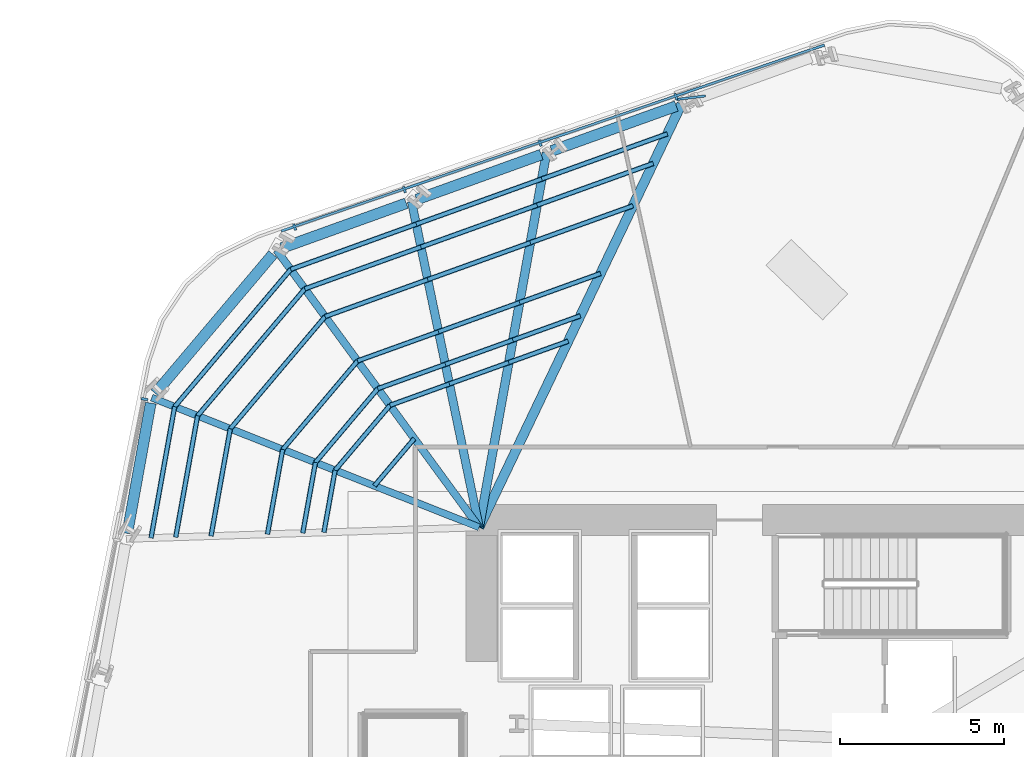
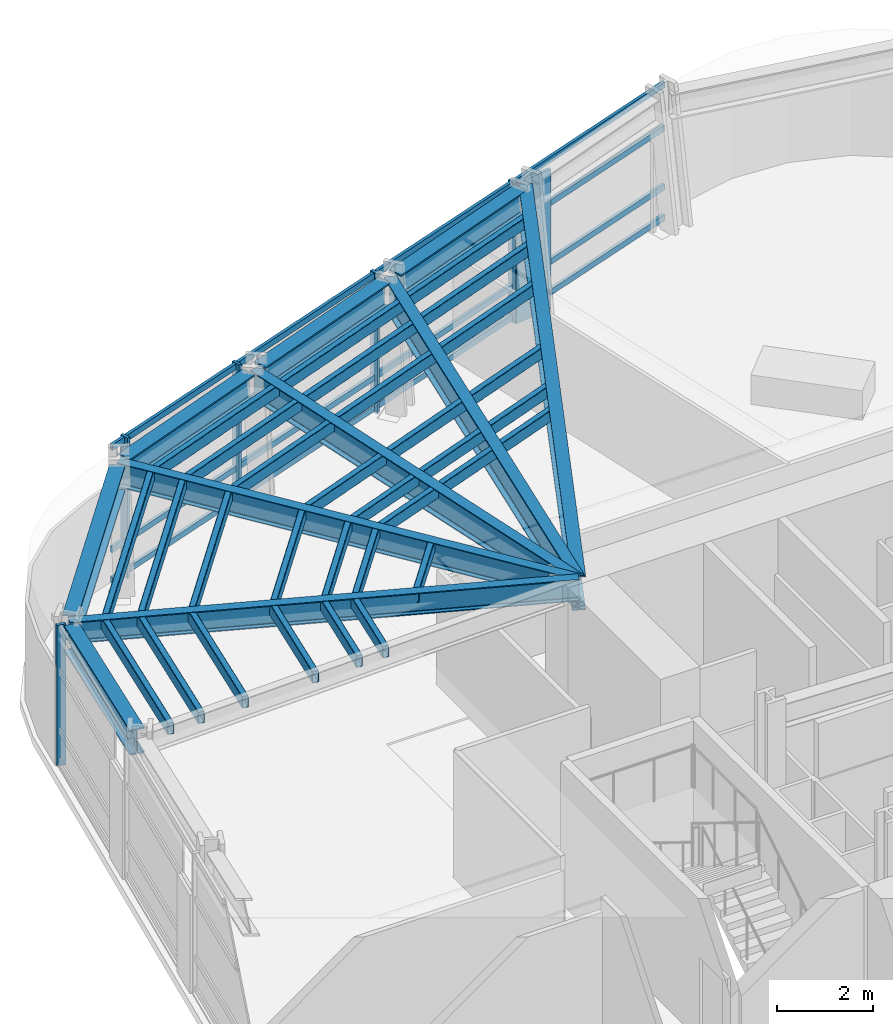
# One storey, part 6 of 16: 41 members, 10 beams, 2 elements without a shape of their own.
"""IFC4 building model written with IfcOpenShell, lengths in metres."""

from ifc_helpers import new_model, si_unit, direction, frame, origin, origin_2d, place, context, subcontext, project, spatial, rectangle, hollow_rectangle, i_section, extrude, material, layer, layer_set, material_profile, profile_set, type_object, element, aggregate, save


model = new_model("IFC4")

# Units and contexts
model_context = context("Model", 3, precision=1e-05, world=origin(), true_north=direction((0.0, 1.0)))
body_context = subcontext(model_context, "Body", "Model", "MODEL_VIEW")
ifc_project = project(units=[si_unit("LENGTHUNIT", "METRE"), si_unit("AREAUNIT", "SQUARE_METRE"), si_unit("VOLUMEUNIT", "CUBIC_METRE"), si_unit("PLANEANGLEUNIT", "RADIAN"), si_unit("MASSUNIT", "GRAM", prefix="KILO")], contexts=[model_context])

# Site, building, storey
site_placement = place(None, origin())
site = spatial("IfcSite", under=ifc_project, at=site_placement, CompositionType="ELEMENT")
building_placement = place(site_placement, origin())
building = spatial("IfcBuilding", under=site, at=building_placement, Name="Valkerne Bourse Tower", CompositionType="ELEMENT")
storey_placement = place(building_placement, frame((0.0, 0.0, 104.800048828125)))
storey = spatial("IfcBuildingStorey", under=building, at=storey_placement, Name="L26", CompositionType="ELEMENT", Elevation=104.800048828125)

# Beams
ifc_material_1 = material(Name="Steel ASTM A992", Category="steel")
ifc_material_profile_1 = material_profile(ifc_material_1, i_section(OverallWidth=0.2138671875, OverallDepth=0.548583984375, WebThickness=0.0146484375, FlangeThickness=0.023681640625, FilletRadius=0.017822265625, at=origin_2d()), Name="W21X93")
ifc_profile_set_1 = profile_set([ifc_material_profile_1], Name="Steel ASTM A992")
beam_type_1 = type_object("IfcBeamType", Name="BM-W21X93", PredefinedType="BEAM", material=ifc_profile_set_1)
beam_1_placement = place(storey_placement, frame((27.597900390625, 39.36181640625, 3.3056640625), z_axis=(0.929720353144, -0.368266296244, 0.0), x_axis=(0.368266296244, 0.929720353144, 0.0)))
element("IfcBeam", 1, at=beam_1_placement, inside=storey, type_object=beam_type_1, Name="L26 Radial Composite Floor Beam 10", PredefinedType="BEAM", context=body_context, shape_type="SweptSolid", body=[
    extrude(i_section(OverallWidth=0.2138671875, OverallDepth=0.548583984375, WebThickness=0.0146484375, FlangeThickness=0.023681640625, FilletRadius=0.017822265625, at=origin_2d()), origin(), (0.0, 0.0, 1.0), 10.75830078125),
])
ifc_material_profile_2 = material_profile(ifc_material_1, i_section(OverallWidth=0.330078125, OverallDepth=0.647705078125, WebThickness=0.0205078125, FlangeThickness=0.037109375, FilletRadius=0.020263671875, at=origin_2d()), Name="W24X192")
ifc_profile_set_2 = profile_set([ifc_material_profile_2], Name="Steel ASTM A992")
beam_type_2 = type_object("IfcBeamType", Name="BM-W24X192", PredefinedType="SPANDREL", material=ifc_profile_set_2)
beam_2_placement = place(storey_placement, frame((43.620849609375, 48.26806640625, 3.256103515625), z_axis=(-0.940897418374, -0.338691671137, 0.0), x_axis=(0.338691671137, -0.940897418374, 0.0)))
element("IfcBeam", 2, at=beam_2_placement, inside=storey, type_object=beam_type_2, Name="L26 Hexagonal Spandrel Ring Beam 06", PredefinedType="SPANDREL", context=body_context, shape_type="SweptSolid", body=[
    extrude(i_section(OverallWidth=0.330078125, OverallDepth=0.647705078125, WebThickness=0.0205078125, FlangeThickness=0.037109375, FilletRadius=0.020263671875, at=origin_2d()), origin(), (0.0, 0.0, 1.0), 4.043212890625),
])
beam_3_placement = place(storey_placement, frame((39.496826171875, 46.783447265625, 3.256103515625), z_axis=(-0.940871245192, -0.338764372346, 0.0), x_axis=(0.338764372346, -0.940871245192, 0.0)))
element("IfcBeam", 3, at=beam_3_placement, inside=storey, type_object=beam_type_2, Name="L26 Hexagonal Spandrel Ring Beam 07", PredefinedType="SPANDREL", context=body_context, shape_type="SweptSolid", body=[
    extrude(i_section(OverallWidth=0.330078125, OverallDepth=0.647705078125, WebThickness=0.0205078125, FlangeThickness=0.037109375, FilletRadius=0.020263671875, at=origin_2d()), origin(), (0.0, 0.0, 1.0), 4.04296875),
])
beam_4_placement = place(storey_placement, frame((35.372802734375, 45.298583984375, 3.256103515625), z_axis=(-0.940883562557, -0.338730160615, 0.0), x_axis=(0.338730160615, -0.940883562557, 0.0)))
element("IfcBeam", 4, at=beam_4_placement, inside=storey, type_object=beam_type_2, Name="L26 Hexagonal Spandrel Ring Beam 08", PredefinedType="SPANDREL", context=body_context, shape_type="SweptSolid", body=[
    extrude(i_section(OverallWidth=0.330078125, OverallDepth=0.647705078125, WebThickness=0.0205078125, FlangeThickness=0.037109375, FilletRadius=0.020263671875, at=origin_2d()), origin(), (0.0, 0.0, 1.0), 4.042724609375),
])
beam_5_placement = place(storey_placement, frame((31.29931640625, 43.741943359375, 3.256103515625), z_axis=(-0.645464198332, -0.763790526697, 0.0), x_axis=(0.763790526697, -0.645464198332, 0.0)))
element("IfcBeam", 5, at=beam_5_placement, inside=storey, type_object=beam_type_2, Name="L26 Hexagonal Spandrel Ring Beam 09", PredefinedType="SPANDREL", context=body_context, shape_type="SweptSolid", body=[
    extrude(i_section(OverallWidth=0.330078125, OverallDepth=0.647705078125, WebThickness=0.0205078125, FlangeThickness=0.037109375, FilletRadius=0.020263671875, at=origin_2d()), origin(), (0.0, 0.0, 1.0), 5.564697265625),
])
beam_6_placement = place(storey_placement, frame((27.56787109375, 39.194580078125, 3.256103515625), z_axis=(-0.177105037494, -0.984191955715, 0.0), x_axis=(0.984191955715, -0.177105037494, 0.0)))
element("IfcBeam", 6, at=beam_6_placement, inside=storey, type_object=beam_type_2, Name="L26 Hexagonal Spandrel Ring Beam 10", PredefinedType="SPANDREL", context=body_context, shape_type="SweptSolid", body=[
    extrude(i_section(OverallWidth=0.330078125, OverallDepth=0.647705078125, WebThickness=0.0205078125, FlangeThickness=0.037109375, FilletRadius=0.020263671875, at=origin_2d()), origin(), (0.0, 0.0, 1.0), 4.043212890625),
])
ifc_material_profile_3 = material_profile(ifc_material_1, i_section(OverallWidth=0.228271484375, OverallDepth=0.607177734375, WebThickness=0.01123046875, FlangeThickness=0.017333984375, FilletRadius=0.017822265625, at=origin_2d()), Name="W24X76")
ifc_profile_set_3 = profile_set([ifc_material_profile_3], Name="Steel ASTM A992")
beam_type_3 = type_object("IfcBeamType", Name="BM-W24X76", PredefinedType="JOIST", material=ifc_profile_set_3)
beam_7_placement = place(storey_placement, frame((31.408935546875, 43.87158203125, 3.2763671875), z_axis=(0.590036423616, -0.807376627607, 0.0), x_axis=(0.807376627607, 0.590036423616, 0.0)))
element("IfcBeam", 7, at=beam_7_placement, inside=storey, type_object=beam_type_3, Name="L26 Radial Composite Floor Beam 09", PredefinedType="JOIST", context=body_context, shape_type="SweptSolid", body=[
    extrude(i_section(OverallWidth=0.228271484375, OverallDepth=0.607177734375, WebThickness=0.01123046875, FlangeThickness=0.017333984375, FilletRadius=0.017822265625, at=origin_2d()), origin(), (0.0, 0.0, 1.0), 10.492919921875),
])
ifc_material_profile_4 = material_profile(ifc_material_1, i_section(OverallWidth=0.255859375, OverallDepth=0.693359375, WebThickness=0.014404296875, FlangeThickness=0.023681640625, FilletRadius=0.02294921875, at=origin_2d()), Name="W27X114")
ifc_profile_set_4 = profile_set([ifc_material_profile_4], Name="Steel ASTM A992")
beam_type_4 = type_object("IfcBeamType", Name="BM-W27X114", PredefinedType="BEAM", material=ifc_profile_set_4)
beam_8_placement = place(storey_placement, frame((35.532958984375, 45.356201171875, 3.233154296875), z_axis=(0.203285943715, -0.979119413089, 0.0), x_axis=(0.979119413089, 0.203285943715, 0.0)))
element("IfcBeam", 8, at=beam_8_placement, inside=storey, type_object=beam_type_4, Name="L26 Radial Composite Floor Beam 08", PredefinedType="BEAM", context=body_context, shape_type="SweptSolid", body=[
    extrude(i_section(OverallWidth=0.255859375, OverallDepth=0.693359375, WebThickness=0.014404296875, FlangeThickness=0.023681640625, FilletRadius=0.02294921875, at=origin_2d()), origin(), (0.0, 0.0, 1.0), 10.168701171875),
])
ifc_material_profile_5 = material_profile(ifc_material_1, i_section(OverallWidth=0.26806640625, OverallDepth=0.76953125, WebThickness=0.015625, FlangeThickness=0.025390625, FilletRadius=0.025390625, at=origin_2d()), Name="W30X132")
ifc_profile_set_5 = profile_set([ifc_material_profile_5], Name="Steel ASTM A992")
beam_type_5 = type_object("IfcBeamType", Name="BM-W30X132", PredefinedType="BEAM", material=ifc_profile_set_5)
beam_9_placement = place(storey_placement, frame((39.65673828125, 46.841064453125, 3.195068359375), z_axis=(-0.176922303175, -0.984224821186, 0.0), x_axis=(0.984224821186, -0.176922303175, 0.0)))
element("IfcBeam", 9, at=beam_9_placement, inside=storey, type_object=beam_type_5, Name="L26 Radial Composite Floor Beam 07", PredefinedType="BEAM", context=body_context, shape_type="SweptSolid", body=[
    extrude(i_section(OverallWidth=0.26806640625, OverallDepth=0.76953125, WebThickness=0.015625, FlangeThickness=0.025390625, FilletRadius=0.025390625, at=origin_2d()), origin(), (0.0, 0.0, 1.0), 11.62451171875),
])
ifc_material_profile_6 = material_profile(ifc_material_1, i_section(OverallWidth=0.2919921875, OverallDepth=0.8583984375, WebThickness=0.01708984375, FlangeThickness=0.031005859375, FilletRadius=0.025390625, at=origin_2d()), Name="W33X169")
ifc_profile_set_6 = profile_set([ifc_material_profile_6], Name="Steel ASTM A992")
beam_type_6 = type_object("IfcBeamType", Name="BM-W33X169", PredefinedType="BEAM", material=ifc_profile_set_6)
beam_10_placement = place(storey_placement, frame((43.78076171875, 48.32568359375, 3.150634765625), z_axis=(-0.431385553213, -0.902167669826, 0.0), x_axis=(0.902167669826, -0.431385553213, 0.0)))
element("IfcBeam", 10, at=beam_10_placement, inside=storey, type_object=beam_type_6, Name="L26 Radial Composite Floor Beam 06", PredefinedType="BEAM", context=body_context, shape_type="SweptSolid", body=[
    extrude(i_section(OverallWidth=0.2919921875, OverallDepth=0.8583984375, WebThickness=0.01708984375, FlangeThickness=0.031005859375, FilletRadius=0.025390625, at=origin_2d()), origin(), (0.0, 0.0, 1.0), 14.327392578125),
])

# Curtain wall, members
ifc_material_2 = material(Name="Aluminium AA 6063-T6", Category="aluminium")
ifc_layer = layer(ifc_material_2, 0.22998046875)
ifc_layer_set = layer_set([ifc_layer], Name="Aluminium AA 6063-T6")
curtain_wall_type = type_object("IfcCurtainWallType", Name="CW-02", PredefinedType="NOTDEFINED", material=ifc_layer_set)
curtain_wall_1_placement = place(storey_placement, origin())
curtain_wall_1 = element("IfcCurtainWall", 11, at=curtain_wall_1_placement, inside=storey, type_object=curtain_wall_type, Name="L26 Hexagonal Stick Curtain Wall Face 2", PredefinedType="NOTDEFINED")
ifc_material_profile_7 = material_profile(ifc_material_2, rectangle(XDim=0.074951171875, YDim=0.199951171875, at=origin_2d()), Name="CWM-75X200")
ifc_profile_set_7 = profile_set([ifc_material_profile_7], Name="Aluminium AA 6063-T6")
member_type_1 = type_object("IfcMemberType", Name="CW-MUL-220X75", PredefinedType="MULLION", material=ifc_profile_set_7)
member_1_placement = place(storey_placement, frame((43.6083984375, 48.55615234375, 0.0), z_axis=(0.0, 0.0, 1.0), x_axis=(-0.946087647887, -0.323910732325, 0.0)))
member_1 = element("IfcMember", 12, at=member_1_placement, type_object=member_type_1, Name="CW-L26-F2 Jamb Mullion 01A", PredefinedType="MULLION", context=body_context, shape_type="SweptSolid", body=[
    extrude(rectangle(XDim=0.074951171875, YDim=0.199951171875, at=origin_2d()), origin(), (0.0, 0.0, 1.0), 3.579833984375),
])
member_2_placement = place(storey_placement, frame((39.4619140625, 47.136474609375, 0.0), z_axis=(0.0, 0.0, 1.0), x_axis=(-0.946087647887, -0.323910732325, 0.0)))
member_2 = element("IfcMember", 13, at=member_2_placement, type_object=member_type_1, Name="CW-L26-F2 Jamb Mullion 02A", PredefinedType="MULLION", context=body_context, shape_type="SweptSolid", body=[
    extrude(rectangle(XDim=0.074951171875, YDim=0.199951171875, at=origin_2d()), origin(), (0.0, 0.0, 1.0), 3.579833984375),
])
member_3_placement = place(storey_placement, frame((35.315185546875, 45.716796875, 0.0), z_axis=(0.0, 0.0, 1.0), x_axis=(-0.946080655977, -0.323931153776, 0.0)))
member_3 = element("IfcMember", 14, at=member_3_placement, type_object=member_type_1, Name="CW-L26-F2 Jamb Mullion 03A", PredefinedType="MULLION", context=body_context, shape_type="SweptSolid", body=[
    extrude(rectangle(XDim=0.074951171875, YDim=0.199951171875, at=origin_2d()), origin(), (0.0, 0.0, 1.0), 3.579833984375),
])
member_4_placement = place(storey_placement, frame((31.963134765625, 44.569091796875, 0.0), z_axis=(0.0, 0.0, 1.0), x_axis=(-0.946080655977, -0.323931153776, 0.0)))
member_4 = element("IfcMember", 15, at=member_4_placement, type_object=member_type_1, Name="CW-L26-F2 Jamb Mullion 03B", PredefinedType="MULLION", context=body_context, shape_type="SweptSolid", body=[
    extrude(rectangle(XDim=0.074951171875, YDim=0.199951171875, at=origin_2d()), origin(), (0.0, 0.0, 1.0), 3.579833984375),
])

# Curtain wall, member
curtain_wall_2_placement = place(storey_placement, origin())
curtain_wall_2 = element("IfcCurtainWall", 16, at=curtain_wall_2_placement, inside=storey, type_object=curtain_wall_type, Name="L26 Hexagonal Stick Curtain Wall Face 3", PredefinedType="NOTDEFINED")
member_5_placement = place(storey_placement, frame((27.3798828125, 39.315185546875, 0.0), z_axis=(0.0, 0.0, 1.0), x_axis=(-0.192516989941, -0.981293640346, 0.0)))
member_5 = element("IfcMember", 17, at=member_5_placement, type_object=member_type_1, Name="CW-L26-F3 Jamb Mullion 00A", PredefinedType="MULLION", context=body_context, shape_type="SweptSolid", body=[
    extrude(rectangle(XDim=0.074951171875, YDim=0.199951171875, at=origin_2d()), origin(), (0.0, 0.0, 1.0), 3.579833984375),
])
aggregate(curtain_wall_2, [member_5])

# Member
ifc_material_profile_8 = material_profile(ifc_material_2, rectangle(XDim=0.074951171875, YDim=0.14990234375, at=origin_2d()), Name="CWT-75X150")
ifc_profile_set_8 = profile_set([ifc_material_profile_8], Name="Aluminium AA 6063-T6")
member_type_2 = type_object("IfcMemberType", Name="CW-TRN-180X65", PredefinedType="USERDEFINED", material=ifc_profile_set_8)
member_6_placement = place(storey_placement, frame((48.14599609375, 50.130859375, 0.119873046875), z_axis=(-0.946084158716, -0.323920923415, 0.0), x_axis=(0.323920923415, -0.946084158716, 0.0)))
member_6 = element("IfcMember", 18, at=member_6_placement, type_object=member_type_2, Name="CW-L26-F2 Continuous Face Transom 1", ObjectType="TRANSOM", PredefinedType="USERDEFINED", context=body_context, shape_type="SweptSolid", body=[
    extrude(rectangle(XDim=0.074951171875, YDim=0.14990234375, at=origin_2d()), origin(), (0.0, 0.0, 1.0), 17.531982421875),
])

member_7_placement = place(storey_placement, frame((48.14599609375, 50.130859375, 0.89990234375), z_axis=(-0.946084158716, -0.323920923415, 0.0), x_axis=(0.323920923415, -0.946084158716, 0.0)))
member_7 = element("IfcMember", 19, at=member_7_placement, type_object=member_type_2, Name="CW-L26-F2 Continuous Face Transom 2", ObjectType="TRANSOM", PredefinedType="USERDEFINED", context=body_context, shape_type="SweptSolid", body=[
    extrude(rectangle(XDim=0.074951171875, YDim=0.14990234375, at=origin_2d()), origin(), (0.0, 0.0, 1.0), 17.531982421875),
])

member_8_placement = place(storey_placement, frame((48.14599609375, 50.130859375, 2.39990234375), z_axis=(-0.946084158716, -0.323920923415, 0.0), x_axis=(0.323920923415, -0.946084158716, 0.0)))
member_8 = element("IfcMember", 20, at=member_8_placement, type_object=member_type_2, Name="CW-L26-F2 Continuous Face Transom 3", ObjectType="TRANSOM", PredefinedType="USERDEFINED", context=body_context, shape_type="SweptSolid", body=[
    extrude(rectangle(XDim=0.074951171875, YDim=0.14990234375, at=origin_2d()), origin(), (0.0, 0.0, 1.0), 17.531982421875),
])

member_9_placement = place(storey_placement, frame((48.14599609375, 50.130859375, 3.5), z_axis=(-0.946084158716, -0.323920923415, 0.0), x_axis=(0.323920923415, -0.946084158716, 0.0)))
member_9 = element("IfcMember", 21, at=member_9_placement, type_object=member_type_2, Name="CW-L26-F2 Continuous Face Transom 4", ObjectType="TRANSOM", PredefinedType="USERDEFINED", context=body_context, shape_type="SweptSolid", body=[
    extrude(rectangle(XDim=0.074951171875, YDim=0.14990234375, at=origin_2d()), origin(), (0.0, 0.0, 1.0), 17.531982421875),
])

aggregate(curtain_wall_1, [member_6, member_7, member_8, member_9, member_1, member_2, member_3, member_4])

# Members
ifc_material_3 = material(Name="Bronze Anodised Aluminium AA 6063-T6", Category="aluminium")
ifc_material_profile_9 = material_profile(ifc_material_3, rectangle(XDim=0.070068359375, YDim=0.89990234375, at=origin_2d()), Name="FIN-70X900")
ifc_profile_set_9 = profile_set([ifc_material_profile_9], Name="Bronze Anodised Aluminium AA 6063-T6")
member_type_3 = type_object("IfcMemberType", Name="FIN-SOLAR-900", PredefinedType="USERDEFINED", material=ifc_profile_set_9)
member_10_placement = place(storey_placement, frame((44.064208984375, 48.52197265625, 0.00390625), z_axis=(0.0, 0.0, 1.0), x_axis=(-0.12256121567, 0.992460955612, 0.0)))
element("IfcMember", 22, at=member_10_placement, inside=storey, type_object=member_type_3, Name="L26 Bronze Anodised Solar Fin F2-01", ObjectType="SOLAR_FIN", PredefinedType="USERDEFINED", context=body_context, shape_type="SweptSolid", body=[
    extrude(rectangle(XDim=0.070068359375, YDim=0.89990234375, at=origin_2d()), origin(), (0.0, 0.0, 1.0), 3.572021484375),
])
ifc_material_4 = material(Name="Steel ASTM A500 Grade C", Category="steel")
ifc_material_profile_10 = material_profile(ifc_material_4, hollow_rectangle(XDim=0.14990234375, YDim=0.300048828125, WallThickness=0.012451171875, OuterFilletRadius=0.02490234375, at=origin_2d()), Name="HSS300X150X12.5")
ifc_profile_set_10 = profile_set([ifc_material_profile_10], Name="Steel ASTM A500 Grade C")
member_type_4 = type_object("IfcMemberType", Name="MBR-HSS300X150X12.5", PredefinedType="PURLIN", material=ifc_profile_set_10)
member_11_placement = place(storey_placement, frame((35.618896484375, 38.11083984375, 3.419921875), z_axis=(-0.645443946236, -0.763807640881, 0.0), x_axis=(0.763807640881, -0.645443946236, 0.0)))
element("IfcMember", 23, at=member_11_placement, inside=storey, type_object=member_type_4, Name="L26 Secondary Composite Floor Purlin I-09", PredefinedType="PURLIN", context=body_context, shape_type="SweptSolid", body=[
    extrude(hollow_rectangle(XDim=0.14990234375, YDim=0.300048828125, WallThickness=0.012451171875, OuterFilletRadius=0.02490234375, at=origin_2d()), origin(), (0.0, 0.0, 1.0), 1.889404296875),
])
member_12_placement = place(storey_placement, frame((40.319580078125, 41.08740234375, 3.419921875), z_axis=(-0.940882570825, -0.338732915314, 0.0), x_axis=(0.338732915314, -0.940882570825, 0.0)))
element("IfcMember", 24, at=member_12_placement, inside=storey, type_object=member_type_4, Name="L26 Secondary Composite Floor Purlin K-06", PredefinedType="PURLIN", context=body_context, shape_type="SweptSolid", body=[
    extrude(hollow_rectangle(XDim=0.14990234375, YDim=0.300048828125, WallThickness=0.012451171875, OuterFilletRadius=0.02490234375, at=origin_2d()), origin(), (0.0, 0.0, 1.0), 1.9287109375),
])
for number, where, z_axis, x_axis, name in (
    (25, (38.5048828125, 40.43408203125, 3.419921875), (-0.940868044235, -0.338773262429, 0.0), (0.338773262429, -0.940868044235, 0.0), "L26 Secondary Composite Floor Purlin K-07"),
    (26, (36.6904296875, 39.78076171875, 3.419921875), (-0.940868044235, -0.338773262429, 0.0), (0.338773262429, -0.940868044235, 0.0), "L26 Secondary Composite Floor Purlin K-08"),
):
    element("IfcMember", number, at=place(storey_placement, frame(where, z_axis=z_axis, x_axis=x_axis)), inside=storey, type_object=member_type_4, Name=name, PredefinedType="PURLIN", context=body_context, shape_type="SweptSolid", body=[
        extrude(hollow_rectangle(XDim=0.14990234375, YDim=0.300048828125, WallThickness=0.012451171875, OuterFilletRadius=0.02490234375, at=origin_2d()), origin(), (0.0, 0.0, 1.0), 1.928466796875),
    ])
member_13_placement = place(storey_placement, frame((34.8759765625, 39.12744140625, 3.419921875), z_axis=(-0.645466050135, -0.763788961771, 0.0), x_axis=(0.763788961771, -0.645466050135, 0.0)))
element("IfcMember", 27, at=member_13_placement, inside=storey, type_object=member_type_4, Name="L26 Secondary Composite Floor Purlin K-09", PredefinedType="PURLIN", context=body_context, shape_type="SweptSolid", body=[
    extrude(hollow_rectangle(XDim=0.14990234375, YDim=0.300048828125, WallThickness=0.012451171875, OuterFilletRadius=0.02490234375, at=origin_2d()), origin(), (0.0, 0.0, 1.0), 2.59765625),
])
member_14_placement = place(storey_placement, frame((33.19921875, 37.143310546875, 3.419921875), z_axis=(-0.177214302526, -0.984172287245, 0.0), x_axis=(0.984172287245, -0.177214302526, 0.0)))
element("IfcMember", 28, at=member_14_placement, inside=storey, type_object=member_type_4, Name="L26 Secondary Composite Floor Purlin K-10", PredefinedType="PURLIN", context=body_context, shape_type="SweptSolid", body=[
    extrude(hollow_rectangle(XDim=0.14990234375, YDim=0.300048828125, WallThickness=0.012451171875, OuterFilletRadius=0.02490234375, at=origin_2d()), origin(), (0.0, 0.0, 1.0), 1.9287109375),
])
member_15_placement = place(storey_placement, frame((40.6904296875, 41.86279296875, 3.419921875), z_axis=(-0.940907292318, -0.338664239717, 0.0), x_axis=(0.338664239717, -0.940907292318, 0.0)))
element("IfcMember", 29, at=member_15_placement, inside=storey, type_object=member_type_4, Name="L26 Secondary Composite Floor Purlin M-06", PredefinedType="PURLIN", context=body_context, shape_type="SweptSolid", body=[
    extrude(hollow_rectangle(XDim=0.14990234375, YDim=0.300048828125, WallThickness=0.012451171875, OuterFilletRadius=0.02490234375, at=origin_2d()), origin(), (0.0, 0.0, 1.0), 2.19140625),
])
for number, where, z_axis, x_axis, name in (
    (30, (38.62841796875, 41.12060546875, 3.419921875), (-0.940871789831, -0.338762859682, 0.0), (0.338762859682, -0.940871789831, 0.0), "L26 Secondary Composite Floor Purlin M-07"),
    (31, (36.56640625, 40.378173828125, 3.419921875), (-0.940871789831, -0.338762859682, 0.0), (0.338762859682, -0.940871789831, 0.0), "L26 Secondary Composite Floor Purlin M-08"),
):
    element("IfcMember", number, at=place(storey_placement, frame(where, z_axis=z_axis, x_axis=x_axis)), inside=storey, type_object=member_type_4, Name=name, PredefinedType="PURLIN", context=body_context, shape_type="SweptSolid", body=[
        extrude(hollow_rectangle(XDim=0.14990234375, YDim=0.300048828125, WallThickness=0.012451171875, OuterFilletRadius=0.02490234375, at=origin_2d()), origin(), (0.0, 0.0, 1.0), 2.191650390625),
    ])
member_16_placement = place(storey_placement, frame((34.50439453125, 39.6357421875, 3.419921875), z_axis=(-0.645408226341, -0.763837823999, 0.0), x_axis=(0.763837823999, -0.645408226341, 0.0)))
element("IfcMember", 32, at=member_16_placement, inside=storey, type_object=member_type_4, Name="L26 Secondary Composite Floor Purlin M-09", PredefinedType="PURLIN", context=body_context, shape_type="SweptSolid", body=[
    extrude(hollow_rectangle(XDim=0.14990234375, YDim=0.300048828125, WallThickness=0.012451171875, OuterFilletRadius=0.02490234375, at=origin_2d()), origin(), (0.0, 0.0, 1.0), 2.9521484375),
])
member_17_placement = place(storey_placement, frame((32.59912109375, 37.380859375, 3.419921875), z_axis=(-0.177140048803, -0.984185654798, 0.0), x_axis=(0.984185654798, -0.177140048803, 0.0)))
element("IfcMember", 33, at=member_17_placement, inside=storey, type_object=member_type_4, Name="L26 Secondary Composite Floor Purlin M-10", PredefinedType="PURLIN", context=body_context, shape_type="SweptSolid", body=[
    extrude(hollow_rectangle(XDim=0.14990234375, YDim=0.300048828125, WallThickness=0.012451171875, OuterFilletRadius=0.02490234375, at=origin_2d()), origin(), (0.0, 0.0, 1.0), 2.19140625),
])
for number, where, z_axis, x_axis, name in (
    (34, (42.29736328125, 45.223388671875, 3.419921875), (-0.940903293901, -0.338675348272, 0.0), (0.338675348272, -0.940903293901, 0.0), "L26 Secondary Composite Floor Purlin O-06"),
    (35, (39.1630859375, 44.09521484375, 3.419921875), (-0.940871527067, -0.338763589476, 0.0), (0.338763589476, -0.940871527067, 0.0), "L26 Secondary Composite Floor Purlin O-07"),
):
    element("IfcMember", number, at=place(storey_placement, frame(where, z_axis=z_axis, x_axis=x_axis)), inside=storey, type_object=member_type_4, Name=name, PredefinedType="PURLIN", context=body_context, shape_type="SweptSolid", body=[
        extrude(hollow_rectangle(XDim=0.14990234375, YDim=0.300048828125, WallThickness=0.012451171875, OuterFilletRadius=0.02490234375, at=origin_2d()), origin(), (0.0, 0.0, 1.0), 3.3310546875),
    ])
member_18_placement = place(storey_placement, frame((36.029052734375, 42.966796875, 3.419921875), z_axis=(-0.940879937441, -0.338740229853, 0.0), x_axis=(0.338740229853, -0.940879937441, 0.0)))
element("IfcMember", 36, at=member_18_placement, inside=storey, type_object=member_type_4, Name="L26 Secondary Composite Floor Purlin O-08", PredefinedType="PURLIN", context=body_context, shape_type="SweptSolid", body=[
    extrude(hollow_rectangle(XDim=0.14990234375, YDim=0.300048828125, WallThickness=0.012451171875, OuterFilletRadius=0.02490234375, at=origin_2d()), origin(), (0.0, 0.0, 1.0), 3.331298828125),
])
member_19_placement = place(storey_placement, frame((32.894775390625, 41.83837890625, 3.419921875), z_axis=(-0.645461660553, -0.763792671316, 0.0), x_axis=(0.763792671316, -0.645461660553, 0.0)))
element("IfcMember", 37, at=member_19_placement, inside=storey, type_object=member_type_4, Name="L26 Secondary Composite Floor Purlin O-09", PredefinedType="PURLIN", context=body_context, shape_type="SweptSolid", body=[
    extrude(hollow_rectangle(XDim=0.14990234375, YDim=0.300048828125, WallThickness=0.012451171875, OuterFilletRadius=0.02490234375, at=origin_2d()), origin(), (0.0, 0.0, 1.0), 4.487548828125),
])
member_20_placement = place(storey_placement, frame((29.998291015625, 38.410888671875, 3.419921875), z_axis=(-0.177079163905, -0.984196611308, 0.0), x_axis=(0.984196611308, -0.177079163905, 0.0)))
element("IfcMember", 38, at=member_20_placement, inside=storey, type_object=member_type_4, Name="L26 Secondary Composite Floor Purlin O-10", PredefinedType="PURLIN", context=body_context, shape_type="SweptSolid", body=[
    extrude(hollow_rectangle(XDim=0.14990234375, YDim=0.300048828125, WallThickness=0.012451171875, OuterFilletRadius=0.02490234375, at=origin_2d()), origin(), (0.0, 0.0, 1.0), 3.3310546875),
])
for number, where, z_axis, x_axis, name in (
    (39, (41.308349609375, 43.155517578125, 3.419921875), (-0.940875576894, -0.3387523414, 0.0), (0.3387523414, -0.940875576894, 0.0), "L26 Secondary Composite Floor Purlin Z-06"),
    (40, (38.833984375, 42.2646484375, 3.419921875), (-0.940875576894, -0.3387523414, 0.0), (0.3387523414, -0.940875576894, 0.0), "L26 Secondary Composite Floor Purlin Z-07"),
):
    element("IfcMember", number, at=place(storey_placement, frame(where, z_axis=z_axis, x_axis=x_axis)), inside=storey, type_object=member_type_4, Name=name, PredefinedType="PURLIN", context=body_context, shape_type="SweptSolid", body=[
        extrude(hollow_rectangle(XDim=0.14990234375, YDim=0.300048828125, WallThickness=0.012451171875, OuterFilletRadius=0.02490234375, at=origin_2d()), origin(), (0.0, 0.0, 1.0), 2.6298828125),
    ])
member_21_placement = place(storey_placement, frame((36.359619140625, 41.373779296875, 3.419921875), z_axis=(-0.940864922471, -0.338781932317, 0.0), x_axis=(0.338781932317, -0.940864922471, 0.0)))
element("IfcMember", 41, at=member_21_placement, inside=storey, type_object=member_type_4, Name="L26 Secondary Composite Floor Purlin Z-08", PredefinedType="PURLIN", context=body_context, shape_type="SweptSolid", body=[
    extrude(hollow_rectangle(XDim=0.14990234375, YDim=0.300048828125, WallThickness=0.012451171875, OuterFilletRadius=0.02490234375, at=origin_2d()), origin(), (0.0, 0.0, 1.0), 2.629638671875),
])
member_22_placement = place(storey_placement, frame((33.885498046875, 40.48291015625, 3.419921875), z_axis=(-0.645503471058, -0.763757336365, 0.0), x_axis=(0.763757336365, -0.645503471058, 0.0)))
element("IfcMember", 42, at=member_22_placement, inside=storey, type_object=member_type_4, Name="L26 Secondary Composite Floor Purlin Z-09", PredefinedType="PURLIN", context=body_context, shape_type="SweptSolid", body=[
    extrude(hollow_rectangle(XDim=0.14990234375, YDim=0.300048828125, WallThickness=0.012451171875, OuterFilletRadius=0.02490234375, at=origin_2d()), origin(), (0.0, 0.0, 1.0), 3.542724609375),
])
member_23_placement = place(storey_placement, frame((31.5986328125, 37.777099609375, 3.419921875), z_axis=(-0.177030707545, -0.984205328469, 0.0), x_axis=(0.984205328469, -0.177030707545, 0.0)))
element("IfcMember", 43, at=member_23_placement, inside=storey, type_object=member_type_4, Name="L26 Secondary Composite Floor Purlin Z-10", PredefinedType="PURLIN", context=body_context, shape_type="SweptSolid", body=[
    extrude(hollow_rectangle(XDim=0.14990234375, YDim=0.300048828125, WallThickness=0.012451171875, OuterFilletRadius=0.02490234375, at=origin_2d()), origin(), (0.0, 0.0, 1.0), 2.6298828125),
])
member_24_placement = place(storey_placement, frame((42.915283203125, 46.51611328125, 3.419921875), z_axis=(-0.940874199921, -0.338756165881, 0.0), x_axis=(0.338756165881, -0.940874199921, 0.0)))
element("IfcMember", 44, at=member_24_placement, inside=storey, type_object=member_type_4, Name="L26 Secondary Composite Floor Purlin T-06", PredefinedType="PURLIN", context=body_context, shape_type="SweptSolid", body=[
    extrude(hollow_rectangle(XDim=0.14990234375, YDim=0.300048828125, WallThickness=0.012451171875, OuterFilletRadius=0.02490234375, at=origin_2d()), origin(), (0.0, 0.0, 1.0), 3.769287109375),
])
member_25_placement = place(storey_placement, frame((39.368896484375, 45.2392578125, 3.419921875), z_axis=(-0.94088163217, -0.338735522561, 0.0), x_axis=(0.338735522561, -0.94088163217, 0.0)))
element("IfcMember", 45, at=member_25_placement, inside=storey, type_object=member_type_4, Name="L26 Secondary Composite Floor Purlin T-07", PredefinedType="PURLIN", context=body_context, shape_type="SweptSolid", body=[
    extrude(hollow_rectangle(XDim=0.14990234375, YDim=0.300048828125, WallThickness=0.012451171875, OuterFilletRadius=0.02490234375, at=origin_2d()), origin(), (0.0, 0.0, 1.0), 3.76953125),
])
member_26_placement = place(storey_placement, frame((35.822265625, 43.96240234375, 3.419921875), z_axis=(-0.940902273019, -0.338678184458, 0.0), x_axis=(0.338678184458, -0.940902273019, 0.0)))
element("IfcMember", 46, at=member_26_placement, inside=storey, type_object=member_type_4, Name="L26 Secondary Composite Floor Purlin T-08", PredefinedType="PURLIN", context=body_context, shape_type="SweptSolid", body=[
    extrude(hollow_rectangle(XDim=0.14990234375, YDim=0.300048828125, WallThickness=0.012451171875, OuterFilletRadius=0.02490234375, at=origin_2d()), origin(), (0.0, 0.0, 1.0), 3.769287109375),
])
member_27_placement = place(storey_placement, frame((32.275634765625, 42.685791015625, 3.419921875), z_axis=(-0.645414045617, -0.763832906937, 0.0), x_axis=(0.763832906937, -0.645414045617, 0.0)))
element("IfcMember", 47, at=member_27_placement, inside=storey, type_object=member_type_4, Name="L26 Secondary Composite Floor Purlin T-09", PredefinedType="PURLIN", context=body_context, shape_type="SweptSolid", body=[
    extrude(hollow_rectangle(XDim=0.14990234375, YDim=0.300048828125, WallThickness=0.012451171875, OuterFilletRadius=0.02490234375, at=origin_2d()), origin(), (0.0, 0.0, 1.0), 5.077880859375),
])
member_28_placement = place(storey_placement, frame((28.998291015625, 38.80712890625, 3.419921875), z_axis=(-0.177083985744, -0.984195743739, 0.0), x_axis=(0.984195743739, -0.177083985744, 0.0)))
element("IfcMember", 48, at=member_28_placement, inside=storey, type_object=member_type_4, Name="L26 Secondary Composite Floor Purlin T-10", PredefinedType="PURLIN", context=body_context, shape_type="SweptSolid", body=[
    extrude(hollow_rectangle(XDim=0.14990234375, YDim=0.300048828125, WallThickness=0.012451171875, OuterFilletRadius=0.02490234375, at=origin_2d()), origin(), (0.0, 0.0, 1.0), 3.769287109375),
])
member_29_placement = place(storey_placement, frame((43.34814453125, 47.4208984375, 3.419921875), z_axis=(-0.940879776863, -0.338740675871, 0.0), x_axis=(0.338740675871, -0.940879776863, 0.0)))
element("IfcMember", 49, at=member_29_placement, inside=storey, type_object=member_type_4, Name="L26 Secondary Composite Floor Purlin U-06", PredefinedType="PURLIN", context=body_context, shape_type="SweptSolid", body=[
    extrude(hollow_rectangle(XDim=0.14990234375, YDim=0.300048828125, WallThickness=0.012451171875, OuterFilletRadius=0.02490234375, at=origin_2d()), origin(), (0.0, 0.0, 1.0), 4.076416015625),
])
for number, where, z_axis, x_axis, name in (
    (50, (39.5126953125, 46.0400390625, 3.419921875), (-0.940891992994, -0.338706742656, 0.0), (0.338706742656, -0.940891992994, 0.0), "L26 Secondary Composite Floor Purlin U-07"),
    (51, (35.677490234375, 44.659423828125, 3.419921875), (-0.940891992994, -0.338706742656, 0.0), (0.338706742656, -0.940891992994, 0.0), "L26 Secondary Composite Floor Purlin U-08"),
):
    element("IfcMember", number, at=place(storey_placement, frame(where, z_axis=z_axis, x_axis=x_axis)), inside=storey, type_object=member_type_4, Name=name, PredefinedType="PURLIN", context=body_context, shape_type="SweptSolid", body=[
        extrude(hollow_rectangle(XDim=0.14990234375, YDim=0.300048828125, WallThickness=0.012451171875, OuterFilletRadius=0.02490234375, at=origin_2d()), origin(), (0.0, 0.0, 1.0), 4.076171875),
    ])
member_30_placement = place(storey_placement, frame((31.84228515625, 43.27880859375, 3.419921875), z_axis=(-0.645425897799, -0.76382289207, 0.0), x_axis=(0.76382289207, -0.645425897799, 0.0)))
element("IfcMember", 52, at=member_30_placement, inside=storey, type_object=member_type_4, Name="L26 Secondary Composite Floor Purlin U-09", PredefinedType="PURLIN", context=body_context, shape_type="SweptSolid", body=[
    extrude(hollow_rectangle(XDim=0.14990234375, YDim=0.300048828125, WallThickness=0.012451171875, OuterFilletRadius=0.02490234375, at=origin_2d()), origin(), (0.0, 0.0, 1.0), 5.4912109375),
])
member_31_placement = place(storey_placement, frame((28.298095703125, 39.08447265625, 3.419921875), z_axis=(-0.177098467059, -0.98419313804, 0.0), x_axis=(0.98419313804, -0.177098467059, 0.0)))
element("IfcMember", 53, at=member_31_placement, inside=storey, type_object=member_type_4, Name="L26 Secondary Composite Floor Purlin U-10", PredefinedType="PURLIN", context=body_context, shape_type="SweptSolid", body=[
    extrude(hollow_rectangle(XDim=0.14990234375, YDim=0.300048828125, WallThickness=0.012451171875, OuterFilletRadius=0.02490234375, at=origin_2d()), origin(), (0.0, 0.0, 1.0), 4.076416015625),
])

save(model, "model.ifc")
